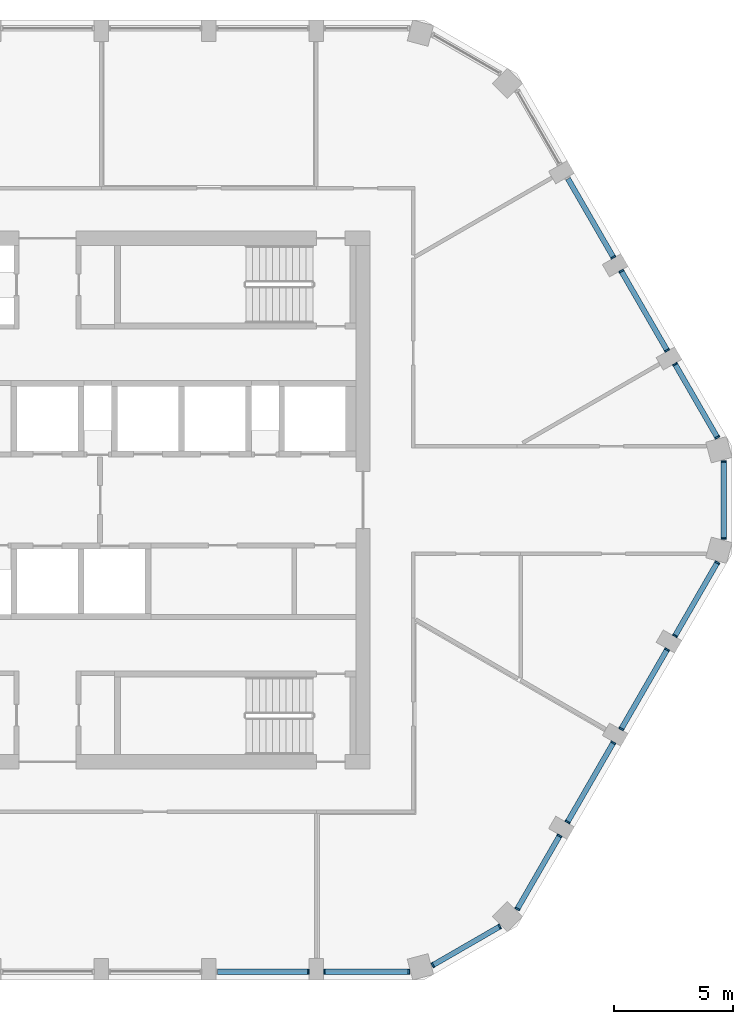
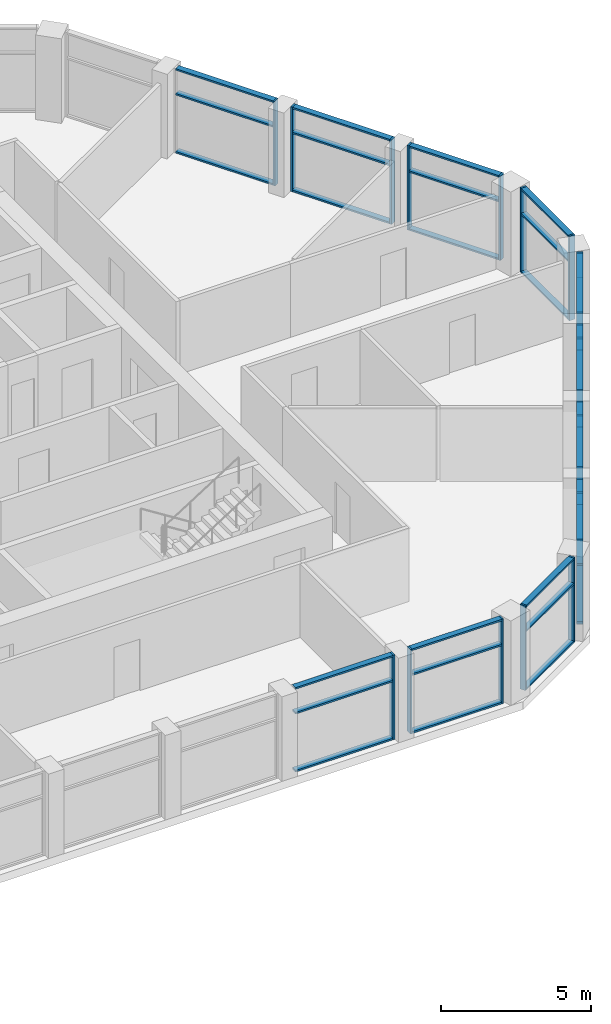
# One storey, part 4 of 15: 53 members, 11 elements without a shape of their own.
"""IFC4 building model written with IfcOpenShell, lengths in metres."""

from ifc_helpers import new_model, si_unit, direction, frame, origin, origin_2d, place, context, subcontext, project, spatial, rectangle, extrude, material, layer, layer_set, material_profile, profile_set, type_object, element, aggregate, save


model = new_model("IFC4")

# Units and contexts
model_context = context("Model", 3, precision=1e-05, world=origin(), true_north=direction((0.0, 1.0)))
body_context = subcontext(model_context, "Body", "Model", "MODEL_VIEW")
ifc_project = project(units=[si_unit("LENGTHUNIT", "METRE"), si_unit("AREAUNIT", "SQUARE_METRE"), si_unit("VOLUMEUNIT", "CUBIC_METRE"), si_unit("PLANEANGLEUNIT", "RADIAN"), si_unit("MASSUNIT", "GRAM", prefix="KILO")], contexts=[model_context])

# Site, building, storey
site_placement = place(None, origin())
site = spatial("IfcSite", under=ifc_project, at=site_placement, CompositionType="ELEMENT")
building_placement = place(site_placement, origin())
building = spatial("IfcBuilding", under=site, at=building_placement, Name="Dhurran Vertical Campus", CompositionType="ELEMENT")
storey_placement = place(building_placement, frame((0.0, 0.0, 306.0)))
storey = spatial("IfcBuildingStorey", under=building, at=storey_placement, Name="L76", CompositionType="ELEMENT", Elevation=306.0)

# Curtain wall, member
ifc_material_1 = material(Name="Aluminium frame with solar-control glass", Category="aluminium")
ifc_layer = layer(ifc_material_1, 0.219970703125)
ifc_layer_set = layer_set([ifc_layer], Name="Aluminium frame with solar-control glass")
curtain_wall_type = type_object("IfcCurtainWallType", Name="Student lounge glazing system", PredefinedType="NOTDEFINED", material=ifc_layer_set)
curtain_wall_1_placement = place(storey_placement, origin())
curtain_wall_1 = element("IfcCurtainWall", 1, at=curtain_wall_1_placement, inside=storey, type_object=curtain_wall_type, Name="CW5 L76.05", PredefinedType="NOTDEFINED")
ifc_material_2 = material(Name="Aluminium mullion", Category="aluminium")
ifc_material_profile_1 = material_profile(ifc_material_2, rectangle(XDim=0.219970703125, YDim=0.070068359375, at=origin_2d()), Name="Student lounge glazing system mullion")
ifc_profile_set_1 = profile_set([ifc_material_profile_1], Name="Aluminium mullion")
member_type_1 = type_object("IfcMemberType", Name="Student lounge glazing system mullion", PredefinedType="MULLION", material=ifc_profile_set_1)
member_1_placement = place(storey_placement, frame((10.91455078125, -19.738525390625, 0.0), z_axis=(0.0, 0.0, 1.0), x_axis=(0.0, 1.0, 0.0)))
member_1 = element("IfcMember", 2, at=member_1_placement, type_object=member_type_1, Name="CW5 mullion 2", PredefinedType="MULLION", context=body_context, shape_type="SweptSolid", body=[
    extrude(rectangle(XDim=0.219970703125, YDim=0.070068359375, at=origin_2d()), origin(), (0.0, 0.0, 1.0), 3.449951171875),
])

# Curtain wall, members
curtain_wall_2_placement = place(storey_placement, origin())
curtain_wall_2 = element("IfcCurtainWall", 3, at=curtain_wall_2_placement, inside=storey, type_object=curtain_wall_type, Name="CW5 L76.06", PredefinedType="NOTDEFINED")
member_2_placement = place(storey_placement, frame((11.58544921875, -19.738525390625, 0.0), z_axis=(0.0, 0.0, 1.0), x_axis=(0.0, 1.0, 0.0)))
member_2 = element("IfcMember", 4, at=member_2_placement, type_object=member_type_1, Name="CW5 mullion 1", PredefinedType="MULLION", context=body_context, shape_type="SweptSolid", body=[
    extrude(rectangle(XDim=0.219970703125, YDim=0.070068359375, at=origin_2d()), origin(), (0.0, 0.0, 1.0), 3.449951171875),
])
member_3_placement = place(storey_placement, frame((15.114990234375, -19.738525390625, 0.0), z_axis=(0.0, 0.0, 1.0), x_axis=(0.0, 1.0, 0.0)))
member_3 = element("IfcMember", 5, at=member_3_placement, type_object=member_type_1, Name="CW5 mullion 2", PredefinedType="MULLION", context=body_context, shape_type="SweptSolid", body=[
    extrude(rectangle(XDim=0.219970703125, YDim=0.070068359375, at=origin_2d()), origin(), (0.0, 0.0, 1.0), 3.449951171875),
])

curtain_wall_3_placement = place(storey_placement, origin())
curtain_wall_3 = element("IfcCurtainWall", 6, at=curtain_wall_3_placement, inside=storey, type_object=curtain_wall_type, Name="CW5 L76.07", PredefinedType="NOTDEFINED")
member_4_placement = place(storey_placement, frame((16.125, -19.4677734375, 0.0), z_axis=(0.0, 0.0, 1.0), x_axis=(-0.500001394569, 0.866024598628, 0.0)))
member_4 = element("IfcMember", 7, at=member_4_placement, type_object=member_type_1, Name="CW5 mullion 1", PredefinedType="MULLION", context=body_context, shape_type="SweptSolid", body=[
    extrude(rectangle(XDim=0.219970703125, YDim=0.070068359375, at=origin_2d()), origin(), (0.0, 0.0, 1.0), 3.449951171875),
])
member_5_placement = place(storey_placement, frame((18.922119140625, -17.852783203125, 0.0), z_axis=(0.0, 0.0, 1.0), x_axis=(-0.500001394569, 0.866024598628, 0.0)))
member_5 = element("IfcMember", 8, at=member_5_placement, type_object=member_type_1, Name="CW5 mullion 2", PredefinedType="MULLION", context=body_context, shape_type="SweptSolid", body=[
    extrude(rectangle(XDim=0.219970703125, YDim=0.070068359375, at=origin_2d()), origin(), (0.0, 0.0, 1.0), 3.449951171875),
])

curtain_wall_4_placement = place(storey_placement, origin())
curtain_wall_4 = element("IfcCurtainWall", 9, at=curtain_wall_4_placement, inside=storey, type_object=curtain_wall_type, Name="CW5 L76.08", PredefinedType="NOTDEFINED")
member_6_placement = place(storey_placement, frame((19.66162109375, -17.113525390625, 0.0), z_axis=(0.0, 0.0, 1.0), x_axis=(-0.86602735976, 0.499996612136, 0.0)))
member_6 = element("IfcMember", 10, at=member_6_placement, type_object=member_type_1, Name="CW5 mullion 1", PredefinedType="MULLION", context=body_context, shape_type="SweptSolid", body=[
    extrude(rectangle(XDim=0.219970703125, YDim=0.070068359375, at=origin_2d()), origin(), (0.0, 0.0, 1.0), 3.449951171875),
])
member_7_placement = place(storey_placement, frame((21.42626953125, -14.056884765625, 0.0), z_axis=(0.0, 0.0, 1.0), x_axis=(-0.86602735976, 0.499996612136, 0.0)))
member_7 = element("IfcMember", 11, at=member_7_placement, type_object=member_type_1, Name="CW5 mullion 2", PredefinedType="MULLION", context=body_context, shape_type="SweptSolid", body=[
    extrude(rectangle(XDim=0.219970703125, YDim=0.070068359375, at=origin_2d()), origin(), (0.0, 0.0, 1.0), 3.449951171875),
])

curtain_wall_5_placement = place(storey_placement, origin())
curtain_wall_5 = element("IfcCurtainWall", 12, at=curtain_wall_5_placement, inside=storey, type_object=curtain_wall_type, Name="CW5 L76.09", PredefinedType="NOTDEFINED")
member_8_placement = place(storey_placement, frame((21.76171875, -13.475830078125, 0.0), z_axis=(0.0, 0.0, 1.0), x_axis=(-0.866023284668, 0.5000036704, 0.0)))
member_8 = element("IfcMember", 13, at=member_8_placement, type_object=member_type_1, Name="CW5 mullion 1", PredefinedType="MULLION", context=body_context, shape_type="SweptSolid", body=[
    extrude(rectangle(XDim=0.219970703125, YDim=0.070068359375, at=origin_2d()), origin(), (0.0, 0.0, 1.0), 3.449951171875),
])
member_9_placement = place(storey_placement, frame((23.67626953125, -10.159912109375, 0.0), z_axis=(0.0, 0.0, 1.0), x_axis=(-0.866023284668, 0.5000036704, 0.0)))
member_9 = element("IfcMember", 14, at=member_9_placement, type_object=member_type_1, Name="CW5 mullion 2", PredefinedType="MULLION", context=body_context, shape_type="SweptSolid", body=[
    extrude(rectangle(XDim=0.219970703125, YDim=0.070068359375, at=origin_2d()), origin(), (0.0, 0.0, 1.0), 3.449951171875),
])

curtain_wall_6_placement = place(storey_placement, origin())
curtain_wall_6 = element("IfcCurtainWall", 15, at=curtain_wall_6_placement, inside=storey, type_object=curtain_wall_type, Name="CW5 L76.10", PredefinedType="NOTDEFINED")
member_10_placement = place(storey_placement, frame((24.01171875, -9.57861328125, 0.0), z_axis=(0.0, 0.0, 1.0), x_axis=(-0.866023284668, 0.5000036704, 0.0)))
member_10 = element("IfcMember", 16, at=member_10_placement, type_object=member_type_1, Name="CW5 mullion 1", PredefinedType="MULLION", context=body_context, shape_type="SweptSolid", body=[
    extrude(rectangle(XDim=0.219970703125, YDim=0.070068359375, at=origin_2d()), origin(), (0.0, 0.0, 1.0), 3.449951171875),
])
member_11_placement = place(storey_placement, frame((25.92626953125, -6.2626953125, 0.0), z_axis=(0.0, 0.0, 1.0), x_axis=(-0.866023284668, 0.5000036704, 0.0)))
member_11 = element("IfcMember", 17, at=member_11_placement, type_object=member_type_1, Name="CW5 mullion 2", PredefinedType="MULLION", context=body_context, shape_type="SweptSolid", body=[
    extrude(rectangle(XDim=0.219970703125, YDim=0.070068359375, at=origin_2d()), origin(), (0.0, 0.0, 1.0), 3.449951171875),
])

curtain_wall_7_placement = place(storey_placement, origin())
curtain_wall_7 = element("IfcCurtainWall", 18, at=curtain_wall_7_placement, inside=storey, type_object=curtain_wall_type, Name="CW5 L76.11", PredefinedType="NOTDEFINED")
member_12_placement = place(storey_placement, frame((26.26171875, -5.681640625, 0.0), z_axis=(0.0, 0.0, 1.0), x_axis=(-0.86602735976, 0.499996612136, 0.0)))
member_12 = element("IfcMember", 19, at=member_12_placement, type_object=member_type_1, Name="CW5 mullion 1", PredefinedType="MULLION", context=body_context, shape_type="SweptSolid", body=[
    extrude(rectangle(XDim=0.219970703125, YDim=0.070068359375, at=origin_2d()), origin(), (0.0, 0.0, 1.0), 3.449951171875),
])
member_13_placement = place(storey_placement, frame((28.026611328125, -2.625, 0.0), z_axis=(0.0, 0.0, 1.0), x_axis=(-0.86602735976, 0.499996612136, 0.0)))
member_13 = element("IfcMember", 20, at=member_13_placement, type_object=member_type_1, Name="CW5 mullion 2", PredefinedType="MULLION", context=body_context, shape_type="SweptSolid", body=[
    extrude(rectangle(XDim=0.219970703125, YDim=0.070068359375, at=origin_2d()), origin(), (0.0, 0.0, 1.0), 3.449951171875),
])

curtain_wall_8_placement = place(storey_placement, origin())
curtain_wall_8 = element("IfcCurtainWall", 21, at=curtain_wall_8_placement, inside=storey, type_object=curtain_wall_type, Name="CW5 L76.12", PredefinedType="NOTDEFINED")
member_14_placement = place(storey_placement, frame((28.297119140625, -1.614990234375, 0.0), z_axis=(0.0, 0.0, 1.0), x_axis=(-1.0, 0.0, 0.0)))
member_14 = element("IfcMember", 22, at=member_14_placement, type_object=member_type_1, Name="CW5 mullion 1", PredefinedType="MULLION", context=body_context, shape_type="SweptSolid", body=[
    extrude(rectangle(XDim=0.219970703125, YDim=0.070068359375, at=origin_2d()), origin(), (0.0, 0.0, 1.0), 3.449951171875),
])
member_15_placement = place(storey_placement, frame((28.297119140625, 1.614990234375, 0.0), z_axis=(0.0, 0.0, 1.0), x_axis=(-1.0, 0.0, 0.0)))
member_15 = element("IfcMember", 23, at=member_15_placement, type_object=member_type_1, Name="CW5 mullion 2", PredefinedType="MULLION", context=body_context, shape_type="SweptSolid", body=[
    extrude(rectangle(XDim=0.219970703125, YDim=0.070068359375, at=origin_2d()), origin(), (0.0, 0.0, 1.0), 3.449951171875),
])

curtain_wall_9_placement = place(storey_placement, origin())
curtain_wall_9 = element("IfcCurtainWall", 24, at=curtain_wall_9_placement, inside=storey, type_object=curtain_wall_type, Name="CW5 L76.13", PredefinedType="NOTDEFINED")
member_16_placement = place(storey_placement, frame((28.026611328125, 2.625, 0.0), z_axis=(0.0, 0.0, 1.0), x_axis=(-0.86602735976, -0.499996612136, 0.0)))
member_16 = element("IfcMember", 25, at=member_16_placement, type_object=member_type_1, Name="CW5 mullion 1", PredefinedType="MULLION", context=body_context, shape_type="SweptSolid", body=[
    extrude(rectangle(XDim=0.219970703125, YDim=0.070068359375, at=origin_2d()), origin(), (0.0, 0.0, 1.0), 3.449951171875),
])
member_17_placement = place(storey_placement, frame((26.26171875, 5.681640625, 0.0), z_axis=(0.0, 0.0, 1.0), x_axis=(-0.86602735976, -0.499996612136, 0.0)))
member_17 = element("IfcMember", 26, at=member_17_placement, type_object=member_type_1, Name="CW5 mullion 2", PredefinedType="MULLION", context=body_context, shape_type="SweptSolid", body=[
    extrude(rectangle(XDim=0.219970703125, YDim=0.070068359375, at=origin_2d()), origin(), (0.0, 0.0, 1.0), 3.449951171875),
])

curtain_wall_10_placement = place(storey_placement, origin())
curtain_wall_10 = element("IfcCurtainWall", 27, at=curtain_wall_10_placement, inside=storey, type_object=curtain_wall_type, Name="CW5 L76.14", PredefinedType="NOTDEFINED")
member_18_placement = place(storey_placement, frame((25.92626953125, 6.2626953125, 0.0), z_axis=(0.0, 0.0, 1.0), x_axis=(-0.866023284668, -0.5000036704, 0.0)))
member_18 = element("IfcMember", 28, at=member_18_placement, type_object=member_type_1, Name="CW5 mullion 1", PredefinedType="MULLION", context=body_context, shape_type="SweptSolid", body=[
    extrude(rectangle(XDim=0.219970703125, YDim=0.070068359375, at=origin_2d()), origin(), (0.0, 0.0, 1.0), 3.449951171875),
])
member_19_placement = place(storey_placement, frame((24.01171875, 9.57861328125, 0.0), z_axis=(0.0, 0.0, 1.0), x_axis=(-0.866023284668, -0.5000036704, 0.0)))
member_19 = element("IfcMember", 29, at=member_19_placement, type_object=member_type_1, Name="CW5 mullion 2", PredefinedType="MULLION", context=body_context, shape_type="SweptSolid", body=[
    extrude(rectangle(XDim=0.219970703125, YDim=0.070068359375, at=origin_2d()), origin(), (0.0, 0.0, 1.0), 3.449951171875),
])

# Curtain wall, member
curtain_wall_11_placement = place(storey_placement, origin())
curtain_wall_11 = element("IfcCurtainWall", 30, at=curtain_wall_11_placement, inside=storey, type_object=curtain_wall_type, Name="CW5 L76.15", PredefinedType="NOTDEFINED")
member_20_placement = place(storey_placement, frame((23.67626953125, 10.159912109375, 0.0), z_axis=(0.0, 0.0, 1.0), x_axis=(-0.866023284668, -0.5000036704, 0.0)))
member_20 = element("IfcMember", 31, at=member_20_placement, type_object=member_type_1, Name="CW5 mullion 1", PredefinedType="MULLION", context=body_context, shape_type="SweptSolid", body=[
    extrude(rectangle(XDim=0.219970703125, YDim=0.070068359375, at=origin_2d()), origin(), (0.0, 0.0, 1.0), 3.449951171875),
])

# Member
ifc_material_3 = material(Name="Aluminium transom", Category="aluminium")
ifc_material_profile_2 = material_profile(ifc_material_3, rectangle(XDim=0.219970703125, YDim=0.070068359375, at=origin_2d()), Name="Student lounge glazing system transom")
ifc_profile_set_2 = profile_set([ifc_material_profile_2], Name="Aluminium transom")
member_type_2 = type_object("IfcMemberType", Name="Student lounge glazing system transom", PredefinedType="USERDEFINED", material=ifc_profile_set_2)
member_21_placement = place(storey_placement, frame((7.12060546875, -19.738525390625, 0.034912109375), z_axis=(1.0, 0.0, 0.0), x_axis=(0.0, 1.0, 0.0)))
member_21 = element("IfcMember", 32, at=member_21_placement, type_object=member_type_2, Name="CW5 transom 1.1", ObjectType="TRANSOM", PredefinedType="USERDEFINED", context=body_context, shape_type="SweptSolid", body=[
    extrude(rectangle(XDim=0.219970703125, YDim=0.070068359375, at=origin_2d()), origin(), (0.0, 0.0, 1.0), 3.7587890625),
])

member_22_placement = place(storey_placement, frame((7.12060546875, -19.738525390625, 2.39990234375), z_axis=(1.0, 0.0, 0.0), x_axis=(0.0, 1.0, 0.0)))
member_22 = element("IfcMember", 33, at=member_22_placement, type_object=member_type_2, Name="CW5 transom 1.2", ObjectType="TRANSOM", PredefinedType="USERDEFINED", context=body_context, shape_type="SweptSolid", body=[
    extrude(rectangle(XDim=0.219970703125, YDim=0.070068359375, at=origin_2d()), origin(), (0.0, 0.0, 1.0), 3.7587890625),
])

member_23_placement = place(storey_placement, frame((7.12060546875, -19.738525390625, 3.4150390625), z_axis=(1.0, 0.0, 0.0), x_axis=(0.0, 1.0, 0.0)))
member_23 = element("IfcMember", 34, at=member_23_placement, type_object=member_type_2, Name="CW5 transom 1.3", ObjectType="TRANSOM", PredefinedType="USERDEFINED", context=body_context, shape_type="SweptSolid", body=[
    extrude(rectangle(XDim=0.219970703125, YDim=0.070068359375, at=origin_2d()), origin(), (0.0, 0.0, 1.0), 3.7587890625),
])

aggregate(curtain_wall_1, [member_1, member_21, member_22, member_23])

member_24_placement = place(storey_placement, frame((11.62060546875, -19.738525390625, 0.034912109375), z_axis=(1.0, 0.0, 0.0), x_axis=(0.0, 1.0, 0.0)))
member_24 = element("IfcMember", 35, at=member_24_placement, type_object=member_type_2, Name="CW5 transom 1.1", ObjectType="TRANSOM", PredefinedType="USERDEFINED", context=body_context, shape_type="SweptSolid", body=[
    extrude(rectangle(XDim=0.219970703125, YDim=0.070068359375, at=origin_2d()), origin(), (0.0, 0.0, 1.0), 3.459228515625),
])

member_25_placement = place(storey_placement, frame((11.62060546875, -19.738525390625, 2.39990234375), z_axis=(1.0, 0.0, 0.0), x_axis=(0.0, 1.0, 0.0)))
member_25 = element("IfcMember", 36, at=member_25_placement, type_object=member_type_2, Name="CW5 transom 1.2", ObjectType="TRANSOM", PredefinedType="USERDEFINED", context=body_context, shape_type="SweptSolid", body=[
    extrude(rectangle(XDim=0.219970703125, YDim=0.070068359375, at=origin_2d()), origin(), (0.0, 0.0, 1.0), 3.459228515625),
])

member_26_placement = place(storey_placement, frame((11.62060546875, -19.738525390625, 3.4150390625), z_axis=(1.0, 0.0, 0.0), x_axis=(0.0, 1.0, 0.0)))
member_26 = element("IfcMember", 37, at=member_26_placement, type_object=member_type_2, Name="CW5 transom 1.3", ObjectType="TRANSOM", PredefinedType="USERDEFINED", context=body_context, shape_type="SweptSolid", body=[
    extrude(rectangle(XDim=0.219970703125, YDim=0.070068359375, at=origin_2d()), origin(), (0.0, 0.0, 1.0), 3.459228515625),
])

aggregate(curtain_wall_2, [member_2, member_3, member_24, member_25, member_26])

member_27_placement = place(storey_placement, frame((16.1552734375, -19.4501953125, 0.034912109375), z_axis=(0.866042772488, 0.499969915316, 0.0), x_axis=(-0.499969915316, 0.866042772488, 0.0)))
member_27 = element("IfcMember", 38, at=member_27_placement, type_object=member_type_2, Name="CW5 transom 1.1", ObjectType="TRANSOM", PredefinedType="USERDEFINED", context=body_context, shape_type="SweptSolid", body=[
    extrude(rectangle(XDim=0.219970703125, YDim=0.070068359375, at=origin_2d()), origin(), (0.0, 0.0, 1.0), 3.159912109375),
])

member_28_placement = place(storey_placement, frame((16.1552734375, -19.4501953125, 2.39990234375), z_axis=(0.866042772488, 0.499969915316, 0.0), x_axis=(-0.499969915316, 0.866042772488, 0.0)))
member_28 = element("IfcMember", 39, at=member_28_placement, type_object=member_type_2, Name="CW5 transom 1.2", ObjectType="TRANSOM", PredefinedType="USERDEFINED", context=body_context, shape_type="SweptSolid", body=[
    extrude(rectangle(XDim=0.219970703125, YDim=0.070068359375, at=origin_2d()), origin(), (0.0, 0.0, 1.0), 3.159912109375),
])

member_29_placement = place(storey_placement, frame((16.1552734375, -19.4501953125, 3.4150390625), z_axis=(0.866042772488, 0.499969915316, 0.0), x_axis=(-0.499969915316, 0.866042772488, 0.0)))
member_29 = element("IfcMember", 40, at=member_29_placement, type_object=member_type_2, Name="CW5 transom 1.3", ObjectType="TRANSOM", PredefinedType="USERDEFINED", context=body_context, shape_type="SweptSolid", body=[
    extrude(rectangle(XDim=0.219970703125, YDim=0.070068359375, at=origin_2d()), origin(), (0.0, 0.0, 1.0), 3.159912109375),
])

aggregate(curtain_wall_3, [member_4, member_5, member_27, member_28, member_29])

member_30_placement = place(storey_placement, frame((19.67919921875, -17.083251953125, 0.034912109375), z_axis=(0.499934233803, 0.866063370586, 0.0), x_axis=(-0.866063370586, 0.499934233803, 0.0)))
member_30 = element("IfcMember", 41, at=member_30_placement, type_object=member_type_2, Name="CW5 transom 1.1", ObjectType="TRANSOM", PredefinedType="USERDEFINED", context=body_context, shape_type="SweptSolid", body=[
    extrude(rectangle(XDim=0.219970703125, YDim=0.070068359375, at=origin_2d()), origin(), (0.0, 0.0, 1.0), 3.45947265625),
])

member_31_placement = place(storey_placement, frame((19.67919921875, -17.083251953125, 2.39990234375), z_axis=(0.499934233803, 0.866063370586, 0.0), x_axis=(-0.866063370586, 0.499934233803, 0.0)))
member_31 = element("IfcMember", 42, at=member_31_placement, type_object=member_type_2, Name="CW5 transom 1.2", ObjectType="TRANSOM", PredefinedType="USERDEFINED", context=body_context, shape_type="SweptSolid", body=[
    extrude(rectangle(XDim=0.219970703125, YDim=0.070068359375, at=origin_2d()), origin(), (0.0, 0.0, 1.0), 3.45947265625),
])

member_32_placement = place(storey_placement, frame((19.67919921875, -17.083251953125, 3.4150390625), z_axis=(0.499934233803, 0.866063370586, 0.0), x_axis=(-0.866063370586, 0.499934233803, 0.0)))
member_32 = element("IfcMember", 43, at=member_32_placement, type_object=member_type_2, Name="CW5 transom 1.3", ObjectType="TRANSOM", PredefinedType="USERDEFINED", context=body_context, shape_type="SweptSolid", body=[
    extrude(rectangle(XDim=0.219970703125, YDim=0.070068359375, at=origin_2d()), origin(), (0.0, 0.0, 1.0), 3.45947265625),
])

aggregate(curtain_wall_4, [member_6, member_7, member_30, member_31, member_32])

member_33_placement = place(storey_placement, frame((21.779296875, -13.445556640625, 0.034912109375), z_axis=(0.499981075744, 0.866036329433, 0.0), x_axis=(-0.866036329433, 0.499981075744, 0.0)))
member_33 = element("IfcMember", 44, at=member_33_placement, type_object=member_type_2, Name="CW5 transom 1.1", ObjectType="TRANSOM", PredefinedType="USERDEFINED", context=body_context, shape_type="SweptSolid", body=[
    extrude(rectangle(XDim=0.219970703125, YDim=0.070068359375, at=origin_2d()), origin(), (0.0, 0.0, 1.0), 3.759033203125),
])

member_34_placement = place(storey_placement, frame((21.779296875, -13.445556640625, 2.39990234375), z_axis=(0.499981075744, 0.866036329433, 0.0), x_axis=(-0.866036329433, 0.499981075744, 0.0)))
member_34 = element("IfcMember", 45, at=member_34_placement, type_object=member_type_2, Name="CW5 transom 1.2", ObjectType="TRANSOM", PredefinedType="USERDEFINED", context=body_context, shape_type="SweptSolid", body=[
    extrude(rectangle(XDim=0.219970703125, YDim=0.070068359375, at=origin_2d()), origin(), (0.0, 0.0, 1.0), 3.759033203125),
])

member_35_placement = place(storey_placement, frame((21.779296875, -13.445556640625, 3.4150390625), z_axis=(0.499981075744, 0.866036329433, 0.0), x_axis=(-0.866036329433, 0.499981075744, 0.0)))
member_35 = element("IfcMember", 46, at=member_35_placement, type_object=member_type_2, Name="CW5 transom 1.3", ObjectType="TRANSOM", PredefinedType="USERDEFINED", context=body_context, shape_type="SweptSolid", body=[
    extrude(rectangle(XDim=0.219970703125, YDim=0.070068359375, at=origin_2d()), origin(), (0.0, 0.0, 1.0), 3.759033203125),
])

aggregate(curtain_wall_5, [member_8, member_9, member_33, member_34, member_35])

member_36_placement = place(storey_placement, frame((24.029296875, -9.54833984375, 0.034912109375), z_axis=(0.499981075744, 0.866036329433, 0.0), x_axis=(-0.866036329433, 0.499981075744, 0.0)))
member_36 = element("IfcMember", 47, at=member_36_placement, type_object=member_type_2, Name="CW5 transom 1.1", ObjectType="TRANSOM", PredefinedType="USERDEFINED", context=body_context, shape_type="SweptSolid", body=[
    extrude(rectangle(XDim=0.219970703125, YDim=0.070068359375, at=origin_2d()), origin(), (0.0, 0.0, 1.0), 3.759033203125),
])

member_37_placement = place(storey_placement, frame((24.029296875, -9.54833984375, 2.39990234375), z_axis=(0.499981075744, 0.866036329433, 0.0), x_axis=(-0.866036329433, 0.499981075744, 0.0)))
member_37 = element("IfcMember", 48, at=member_37_placement, type_object=member_type_2, Name="CW5 transom 1.2", ObjectType="TRANSOM", PredefinedType="USERDEFINED", context=body_context, shape_type="SweptSolid", body=[
    extrude(rectangle(XDim=0.219970703125, YDim=0.070068359375, at=origin_2d()), origin(), (0.0, 0.0, 1.0), 3.759033203125),
])

member_38_placement = place(storey_placement, frame((24.029296875, -9.54833984375, 3.4150390625), z_axis=(0.499981075744, 0.866036329433, 0.0), x_axis=(-0.866036329433, 0.499981075744, 0.0)))
member_38 = element("IfcMember", 49, at=member_38_placement, type_object=member_type_2, Name="CW5 transom 1.3", ObjectType="TRANSOM", PredefinedType="USERDEFINED", context=body_context, shape_type="SweptSolid", body=[
    extrude(rectangle(XDim=0.219970703125, YDim=0.070068359375, at=origin_2d()), origin(), (0.0, 0.0, 1.0), 3.759033203125),
])

aggregate(curtain_wall_6, [member_10, member_11, member_36, member_37, member_38])

member_39_placement = place(storey_placement, frame((26.279296875, -5.6513671875, 0.034912109375), z_axis=(0.499987164874, 0.866032814021, 0.0), x_axis=(-0.866032814021, 0.499987164874, 0.0)))
member_39 = element("IfcMember", 50, at=member_39_placement, type_object=member_type_2, Name="CW5 transom 1.1", ObjectType="TRANSOM", PredefinedType="USERDEFINED", context=body_context, shape_type="SweptSolid", body=[
    extrude(rectangle(XDim=0.219970703125, YDim=0.070068359375, at=origin_2d()), origin(), (0.0, 0.0, 1.0), 3.45947265625),
])

member_40_placement = place(storey_placement, frame((26.279296875, -5.6513671875, 2.39990234375), z_axis=(0.499987164874, 0.866032814021, 0.0), x_axis=(-0.866032814021, 0.499987164874, 0.0)))
member_40 = element("IfcMember", 51, at=member_40_placement, type_object=member_type_2, Name="CW5 transom 1.2", ObjectType="TRANSOM", PredefinedType="USERDEFINED", context=body_context, shape_type="SweptSolid", body=[
    extrude(rectangle(XDim=0.219970703125, YDim=0.070068359375, at=origin_2d()), origin(), (0.0, 0.0, 1.0), 3.45947265625),
])

member_41_placement = place(storey_placement, frame((26.279296875, -5.6513671875, 3.4150390625), z_axis=(0.499987164874, 0.866032814021, 0.0), x_axis=(-0.866032814021, 0.499987164874, 0.0)))
member_41 = element("IfcMember", 52, at=member_41_placement, type_object=member_type_2, Name="CW5 transom 1.3", ObjectType="TRANSOM", PredefinedType="USERDEFINED", context=body_context, shape_type="SweptSolid", body=[
    extrude(rectangle(XDim=0.219970703125, YDim=0.070068359375, at=origin_2d()), origin(), (0.0, 0.0, 1.0), 3.45947265625),
])

aggregate(curtain_wall_7, [member_12, member_13, member_39, member_40, member_41])

member_42_placement = place(storey_placement, frame((28.297119140625, -1.579833984375, 0.034912109375), z_axis=(0.0, 1.0, 0.0), x_axis=(-1.0, 0.0, 0.0)))
member_42 = element("IfcMember", 53, at=member_42_placement, type_object=member_type_2, Name="CW5 transom 1.1", ObjectType="TRANSOM", PredefinedType="USERDEFINED", context=body_context, shape_type="SweptSolid", body=[
    extrude(rectangle(XDim=0.219970703125, YDim=0.070068359375, at=origin_2d()), origin(), (0.0, 0.0, 1.0), 3.15966796875),
])

member_43_placement = place(storey_placement, frame((28.297119140625, -1.579833984375, 2.39990234375), z_axis=(0.0, 1.0, 0.0), x_axis=(-1.0, 0.0, 0.0)))
member_43 = element("IfcMember", 54, at=member_43_placement, type_object=member_type_2, Name="CW5 transom 1.2", ObjectType="TRANSOM", PredefinedType="USERDEFINED", context=body_context, shape_type="SweptSolid", body=[
    extrude(rectangle(XDim=0.219970703125, YDim=0.070068359375, at=origin_2d()), origin(), (0.0, 0.0, 1.0), 3.15966796875),
])

member_44_placement = place(storey_placement, frame((28.297119140625, -1.579833984375, 3.4150390625), z_axis=(0.0, 1.0, 0.0), x_axis=(-1.0, 0.0, 0.0)))
member_44 = element("IfcMember", 55, at=member_44_placement, type_object=member_type_2, Name="CW5 transom 1.3", ObjectType="TRANSOM", PredefinedType="USERDEFINED", context=body_context, shape_type="SweptSolid", body=[
    extrude(rectangle(XDim=0.219970703125, YDim=0.070068359375, at=origin_2d()), origin(), (0.0, 0.0, 1.0), 3.15966796875),
])

aggregate(curtain_wall_8, [member_14, member_15, member_42, member_43, member_44])

member_45_placement = place(storey_placement, frame((28.009033203125, 2.6552734375, 0.034912109375), z_axis=(-0.499987164874, 0.866032814021, 0.0), x_axis=(-0.866032814021, -0.499987164874, 0.0)))
member_45 = element("IfcMember", 56, at=member_45_placement, type_object=member_type_2, Name="CW5 transom 1.1", ObjectType="TRANSOM", PredefinedType="USERDEFINED", context=body_context, shape_type="SweptSolid", body=[
    extrude(rectangle(XDim=0.219970703125, YDim=0.070068359375, at=origin_2d()), origin(), (0.0, 0.0, 1.0), 3.45947265625),
])

member_46_placement = place(storey_placement, frame((28.009033203125, 2.6552734375, 2.39990234375), z_axis=(-0.499987164874, 0.866032814021, 0.0), x_axis=(-0.866032814021, -0.499987164874, 0.0)))
member_46 = element("IfcMember", 57, at=member_46_placement, type_object=member_type_2, Name="CW5 transom 1.2", ObjectType="TRANSOM", PredefinedType="USERDEFINED", context=body_context, shape_type="SweptSolid", body=[
    extrude(rectangle(XDim=0.219970703125, YDim=0.070068359375, at=origin_2d()), origin(), (0.0, 0.0, 1.0), 3.45947265625),
])

member_47_placement = place(storey_placement, frame((28.009033203125, 2.6552734375, 3.4150390625), z_axis=(-0.499987164874, 0.866032814021, 0.0), x_axis=(-0.866032814021, -0.499987164874, 0.0)))
member_47 = element("IfcMember", 58, at=member_47_placement, type_object=member_type_2, Name="CW5 transom 1.3", ObjectType="TRANSOM", PredefinedType="USERDEFINED", context=body_context, shape_type="SweptSolid", body=[
    extrude(rectangle(XDim=0.219970703125, YDim=0.070068359375, at=origin_2d()), origin(), (0.0, 0.0, 1.0), 3.45947265625),
])

aggregate(curtain_wall_9, [member_16, member_17, member_45, member_46, member_47])

member_48_placement = place(storey_placement, frame((25.90869140625, 6.29296875, 0.034912109375), z_axis=(-0.499981075744, 0.866036329433, 0.0), x_axis=(-0.866036329433, -0.499981075744, 0.0)))
member_48 = element("IfcMember", 59, at=member_48_placement, type_object=member_type_2, Name="CW5 transom 1.1", ObjectType="TRANSOM", PredefinedType="USERDEFINED", context=body_context, shape_type="SweptSolid", body=[
    extrude(rectangle(XDim=0.219970703125, YDim=0.070068359375, at=origin_2d()), origin(), (0.0, 0.0, 1.0), 3.759033203125),
])

member_49_placement = place(storey_placement, frame((25.90869140625, 6.29296875, 2.39990234375), z_axis=(-0.499981075744, 0.866036329433, 0.0), x_axis=(-0.866036329433, -0.499981075744, 0.0)))
member_49 = element("IfcMember", 60, at=member_49_placement, type_object=member_type_2, Name="CW5 transom 1.2", ObjectType="TRANSOM", PredefinedType="USERDEFINED", context=body_context, shape_type="SweptSolid", body=[
    extrude(rectangle(XDim=0.219970703125, YDim=0.070068359375, at=origin_2d()), origin(), (0.0, 0.0, 1.0), 3.759033203125),
])

member_50_placement = place(storey_placement, frame((25.90869140625, 6.29296875, 3.4150390625), z_axis=(-0.499981075744, 0.866036329433, 0.0), x_axis=(-0.866036329433, -0.499981075744, 0.0)))
member_50 = element("IfcMember", 61, at=member_50_placement, type_object=member_type_2, Name="CW5 transom 1.3", ObjectType="TRANSOM", PredefinedType="USERDEFINED", context=body_context, shape_type="SweptSolid", body=[
    extrude(rectangle(XDim=0.219970703125, YDim=0.070068359375, at=origin_2d()), origin(), (0.0, 0.0, 1.0), 3.759033203125),
])

aggregate(curtain_wall_10, [member_18, member_19, member_48, member_49, member_50])

member_51_placement = place(storey_placement, frame((23.65869140625, 10.190185546875, 0.034912109375), z_axis=(-0.499981075744, 0.866036329433, 0.0), x_axis=(-0.866036329433, -0.499981075744, 0.0)))
member_51 = element("IfcMember", 62, at=member_51_placement, type_object=member_type_2, Name="CW5 transom 1.1", ObjectType="TRANSOM", PredefinedType="USERDEFINED", context=body_context, shape_type="SweptSolid", body=[
    extrude(rectangle(XDim=0.219970703125, YDim=0.070068359375, at=origin_2d()), origin(), (0.0, 0.0, 1.0), 3.759033203125),
])

member_52_placement = place(storey_placement, frame((23.65869140625, 10.190185546875, 2.39990234375), z_axis=(-0.499981075744, 0.866036329433, 0.0), x_axis=(-0.866036329433, -0.499981075744, 0.0)))
member_52 = element("IfcMember", 63, at=member_52_placement, type_object=member_type_2, Name="CW5 transom 1.2", ObjectType="TRANSOM", PredefinedType="USERDEFINED", context=body_context, shape_type="SweptSolid", body=[
    extrude(rectangle(XDim=0.219970703125, YDim=0.070068359375, at=origin_2d()), origin(), (0.0, 0.0, 1.0), 3.759033203125),
])

member_53_placement = place(storey_placement, frame((23.65869140625, 10.190185546875, 3.4150390625), z_axis=(-0.499981075744, 0.866036329433, 0.0), x_axis=(-0.866036329433, -0.499981075744, 0.0)))
member_53 = element("IfcMember", 64, at=member_53_placement, type_object=member_type_2, Name="CW5 transom 1.3", ObjectType="TRANSOM", PredefinedType="USERDEFINED", context=body_context, shape_type="SweptSolid", body=[
    extrude(rectangle(XDim=0.219970703125, YDim=0.070068359375, at=origin_2d()), origin(), (0.0, 0.0, 1.0), 3.759033203125),
])

aggregate(curtain_wall_11, [member_20, member_51, member_52, member_53])

save(model, "model.ifc")
